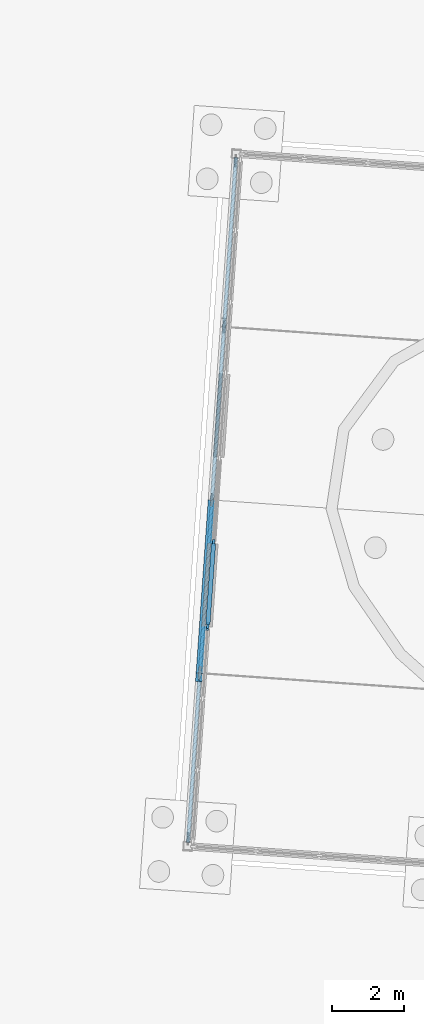
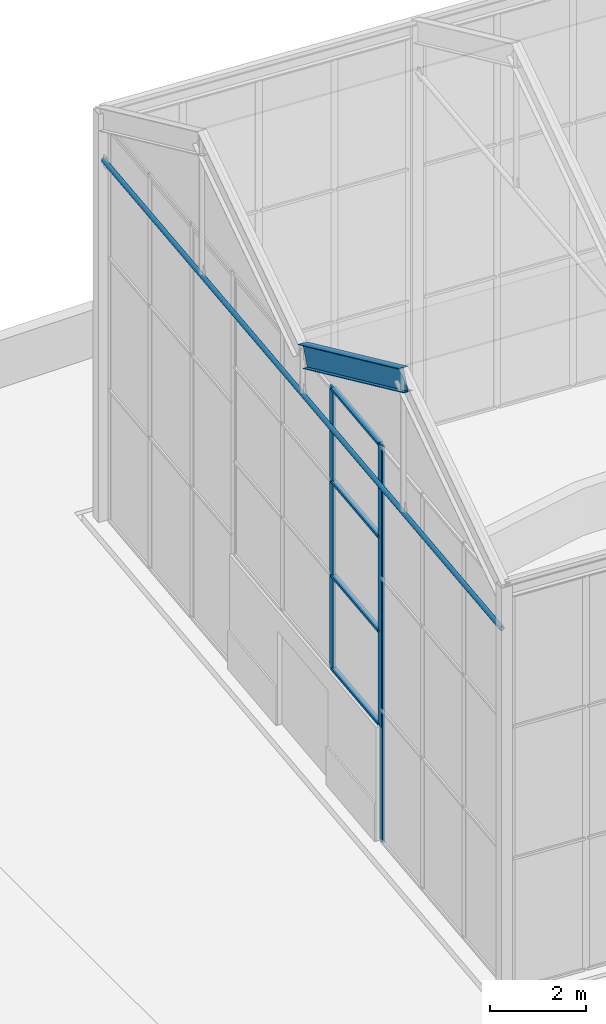
# One storey, part 38 of 157: 9 members, 2 elements without a shape of their own.
"""IFC4 building model written with IfcOpenShell, lengths in metres."""

from ifc_helpers import new_model, si_unit, direction, frame, origin, origin_2d, place, context, subcontext, project, spatial, rectangle, hollow_circle, i_section, extrude, material, material_profile, profile_set, type_object, element, aggregate, save


model = new_model("IFC4")

# Units and contexts
model_context = context("Model", 3, precision=1e-05, world=origin(), true_north=direction((0.0, 1.0)))
body_context = subcontext(model_context, "Body", "Model", "MODEL_VIEW")
ifc_project = project(units=[si_unit("LENGTHUNIT", "METRE"), si_unit("AREAUNIT", "SQUARE_METRE"), si_unit("VOLUMEUNIT", "CUBIC_METRE"), si_unit("PLANEANGLEUNIT", "RADIAN"), si_unit("MASSUNIT", "GRAM", prefix="KILO")], contexts=[model_context])

# Site, building, storey
site_placement = place(None, origin())
site = spatial("IfcSite", under=ifc_project, at=site_placement, CompositionType="ELEMENT")
building_placement = place(site_placement, origin())
building = spatial("IfcBuilding", under=site, at=building_placement, Name="Windward Yard Aquatics Centre", CompositionType="ELEMENT")
storey_placement = place(building_placement, origin())
storey = spatial("IfcBuildingStorey", under=building, at=storey_placement, Name="L00", CompositionType="ELEMENT", Elevation=0.0)

# Member
ifc_material_1 = material(Name="Steel S355", Category="steel")
ifc_material_profile_1 = material_profile(ifc_material_1, hollow_circle(Radius=0.05712890625, WallThickness=0.006103515625, at=origin_2d()), Name="CHS114x6")
ifc_profile_set_1 = profile_set([ifc_material_profile_1], Name="Steel S355")
member_type_1 = type_object("IfcMemberType", Name="W CHS114x6 strut", PredefinedType="STRUT", material=ifc_profile_set_1)
member_1_placement = place(storey_placement, frame((71.858154296875, 119.483154296875, 9.199951171875), z_axis=(0.069760333918, 0.997563780323, 0.0), x_axis=(-0.997563780323, 0.069760333918, 0.0)))
element("IfcMember", 1, at=member_1_placement, inside=storey, type_object=member_type_1, Name="W.TIE.1", PredefinedType="STRUT", context=body_context, shape_type="SweptSolid", body=[
    extrude(hollow_circle(Radius=0.05712890625, WallThickness=0.006103515625, at=origin_2d()), origin(), (0.0, 0.0, 1.0), 19.0),
])

# Curtain wall, member
ifc_material_2 = material(Name="Aluminium curtain wall system", Category="aluminium")
curtain_wall_type = type_object("IfcCurtainWallType", Name="W curtain wall 1900", PredefinedType="NOTDEFINED", material=ifc_material_2)
curtain_wall_1_placement = place(storey_placement, origin())
curtain_wall_1 = element("IfcCurtainWall", 2, at=curtain_wall_1_placement, inside=storey, type_object=curtain_wall_type, Name="Wing west glazing L00 1", PredefinedType="NOTDEFINED")
ifc_material_3 = material(Name="Aluminium mullion", Category="aluminium")
ifc_material_profile_2 = material_profile(ifc_material_3, rectangle(XDim=0.06005859375, YDim=0.159912109375, at=origin_2d()), Name="AL 60x160")
ifc_profile_set_2 = profile_set([ifc_material_profile_2], Name="Aluminium mullion")
member_type_2 = type_object("IfcMemberType", Name="W CW mullion 60x160", PredefinedType="MULLION", material=ifc_profile_set_2)
member_2_placement = place(storey_placement, frame((72.4013671875, 125.4296875, 0.0), z_axis=(0.0, 0.0, 1.0), x_axis=(-0.997563571522, 0.069763319677, 0.0)))
member_2 = element("IfcMember", 3, at=member_2_placement, type_object=member_type_2, Name="WCW1 mullion 4", PredefinedType="MULLION", context=body_context, shape_type="SweptSolid", body=[
    extrude(rectangle(XDim=0.06005859375, YDim=0.159912109375, at=origin_2d()), origin(), (0.0, 0.0, 1.0), 10.097900390625),
])
aggregate(curtain_wall_1, [member_2])

# Curtain wall, members
curtain_wall_2_placement = place(storey_placement, origin())
curtain_wall_2 = element("IfcCurtainWall", 4, at=curtain_wall_2_placement, inside=storey, type_object=curtain_wall_type, Name="Wing west glazing L00 3", PredefinedType="NOTDEFINED")
member_3_placement = place(storey_placement, frame((72.405517578125, 125.489501953125, 2.89990234375), z_axis=(0.0, 0.0, 1.0), x_axis=(-0.997563970086, 0.069757620279, 0.0)))
member_3 = element("IfcMember", 5, at=member_3_placement, type_object=member_type_2, Name="WCW1 mullion 1", PredefinedType="MULLION", context=body_context, shape_type="SweptSolid", body=[
    extrude(rectangle(XDim=0.06005859375, YDim=0.159912109375, at=origin_2d()), origin(), (0.0, 0.0, 1.0), 7.197998046875),
])
member_4_placement = place(storey_placement, frame((72.566162109375, 127.787353515625, 2.89990234375), z_axis=(0.0, 0.0, 1.0), x_axis=(-0.997563970086, 0.069757620279, 0.0)))
member_4 = element("IfcMember", 6, at=member_4_placement, type_object=member_type_2, Name="WCW1 mullion 2", PredefinedType="MULLION", context=body_context, shape_type="SweptSolid", body=[
    extrude(rectangle(XDim=0.06005859375, YDim=0.159912109375, at=origin_2d()), origin(), (0.0, 0.0, 1.0), 7.197998046875),
])
ifc_material_4 = material(Name="Aluminium transom", Category="aluminium")
ifc_material_profile_3 = material_profile(ifc_material_4, rectangle(XDim=0.1201171875, YDim=0.06005859375, at=origin_2d()), Name="AL 120x60")
ifc_profile_set_3 = profile_set([ifc_material_profile_3], Name="Aluminium transom")
member_type_3 = type_object("IfcMemberType", Name="W CW transom 120x60", PredefinedType="USERDEFINED", material=ifc_profile_set_3)
member_5_placement = place(storey_placement, frame((72.407470703125, 125.51953125, 2.929931640625), z_axis=(0.069761980078, 0.997563665204, 0.0), x_axis=(-0.997563665204, 0.069761980078, 0.0)))
member_5 = element("IfcMember", 7, at=member_5_placement, type_object=member_type_3, Name="WCW1 transom 1.1", ObjectType="TRANSOM", PredefinedType="USERDEFINED", context=body_context, shape_type="SweptSolid", body=[
    extrude(rectangle(XDim=0.1201171875, YDim=0.06005859375, at=origin_2d()), origin(), (0.0, 0.0, 1.0), 2.2431640625),
])
member_6_placement = place(storey_placement, frame((72.407470703125, 125.51953125, 5.29931640625), z_axis=(0.069761980078, 0.997563665204, 0.0), x_axis=(-0.997563665204, 0.069761980078, 0.0)))
member_6 = element("IfcMember", 8, at=member_6_placement, type_object=member_type_3, Name="WCW1 transom 1.2", ObjectType="TRANSOM", PredefinedType="USERDEFINED", context=body_context, shape_type="SweptSolid", body=[
    extrude(rectangle(XDim=0.1201171875, YDim=0.06005859375, at=origin_2d()), origin(), (0.0, 0.0, 1.0), 2.2431640625),
])
member_7_placement = place(storey_placement, frame((72.407470703125, 125.51953125, 7.69873046875), z_axis=(0.069761980078, 0.997563665204, 0.0), x_axis=(-0.997563665204, 0.069761980078, 0.0)))
member_7 = element("IfcMember", 9, at=member_7_placement, type_object=member_type_3, Name="WCW1 transom 1.3", ObjectType="TRANSOM", PredefinedType="USERDEFINED", context=body_context, shape_type="SweptSolid", body=[
    extrude(rectangle(XDim=0.1201171875, YDim=0.06005859375, at=origin_2d()), origin(), (0.0, 0.0, 1.0), 2.2431640625),
])
member_8_placement = place(storey_placement, frame((72.407470703125, 125.51953125, 10.068115234375), z_axis=(0.069761980078, 0.997563665204, 0.0), x_axis=(-0.997563665204, 0.069761980078, 0.0)))
member_8 = element("IfcMember", 10, at=member_8_placement, type_object=member_type_3, Name="WCW1 transom 1.4", ObjectType="TRANSOM", PredefinedType="USERDEFINED", context=body_context, shape_type="SweptSolid", body=[
    extrude(rectangle(XDim=0.1201171875, YDim=0.06005859375, at=origin_2d()), origin(), (0.0, 0.0, 1.0), 2.2431640625),
])
aggregate(curtain_wall_2, [member_3, member_4, member_5, member_6, member_7, member_8])

# Member
ifc_material_profile_4 = material_profile(ifc_material_1, i_section(OverallWidth=0.208984375, OverallDepth=0.532958984375, WebThickness=0.01025390625, FlangeThickness=0.015625, at=origin_2d()), Name="W530x92")
ifc_profile_set_4 = profile_set([ifc_material_profile_4], Name="Steel S355")
member_type_4 = type_object("IfcMemberType", Name="W W530x92 rafter", PredefinedType="RAFTER", material=ifc_profile_set_4)
member_9_placement = place(storey_placement, frame((72.177734375, 124.052734375, 12.66162109375), z_axis=(0.062371148263, 0.892257717645, -0.447197948527), x_axis=(-0.997565729611, 0.069732453745, 0.0)))
element("IfcMember", 11, at=member_9_placement, inside=storey, type_object=member_type_4, Name="W.RAF.1.2", PredefinedType="RAFTER", context=body_context, shape_type="SweptSolid", body=[
    extrude(i_section(OverallWidth=0.208984375, OverallDepth=0.532958984375, WebThickness=0.01025390625, FlangeThickness=0.015625, at=origin_2d()), origin(), (0.0, 0.0, 1.0), 5.366455078125),
])

save(model, "model.ifc")
